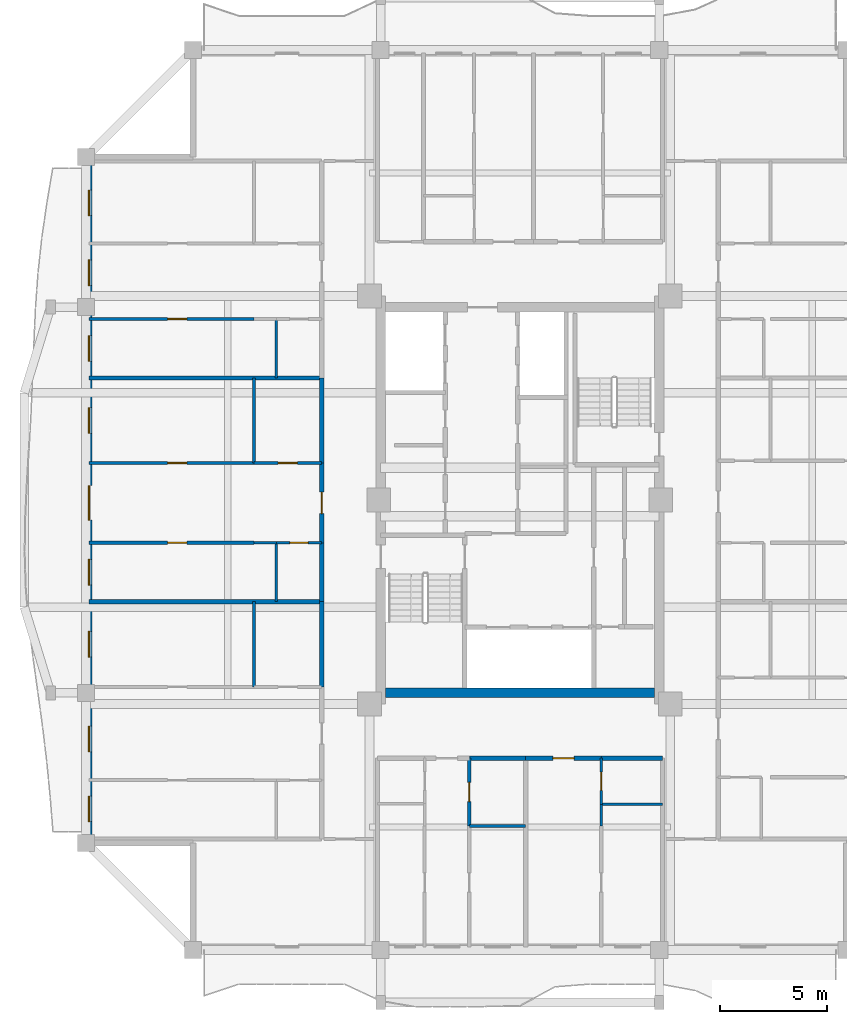
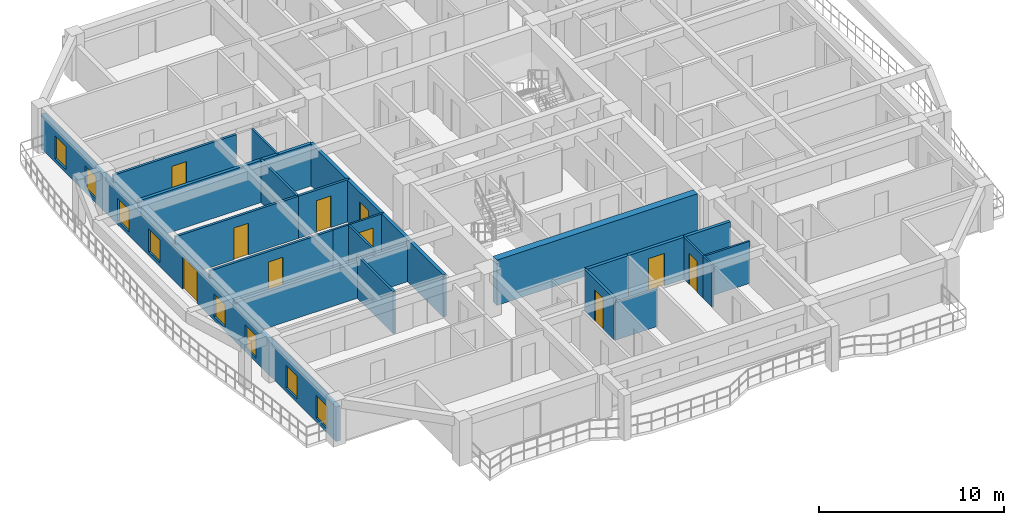
# One storey, part 3 of 13: 26 walls, 10 doors, 8 windows, 18 openings.
"""IFC4 building model written with IfcOpenShell, lengths in metres."""

from ifc_helpers import new_model, si_unit, direction, frame, frame_2d, origin, place, context, subcontext, project, spatial, rectangle, extrude, source, transform, mapped, material, layer, layer_set, type_object, element, fill, save


model = new_model("IFC4")

# Units and contexts
model_context = context("Model", 3, precision=1e-05, world=origin(), true_north=direction((0.0, 1.0)))
body_context = subcontext(model_context, "Body", "Model", "MODEL_VIEW")
ifc_project = project(units=[si_unit("LENGTHUNIT", "METRE"), si_unit("AREAUNIT", "SQUARE_METRE"), si_unit("VOLUMEUNIT", "CUBIC_METRE"), si_unit("PLANEANGLEUNIT", "RADIAN"), si_unit("MASSUNIT", "GRAM", prefix="KILO")], contexts=[model_context])

# Site, building, storey
site_placement = place(None, origin())
site = spatial("IfcSite", under=ifc_project, at=site_placement, CompositionType="ELEMENT")
building_placement = place(site_placement, origin())
building = spatial("IfcBuilding", under=site, at=building_placement, Name="Saelheon Loggia Tower", CompositionType="ELEMENT")
storey_placement = place(building_placement, frame((0.0, 0.0, 179.800048828125)))
storey = spatial("IfcBuildingStorey", under=building, at=storey_placement, Name="L56", CompositionType="ELEMENT", Elevation=179.800048828125)

# Wall
ifc_material_1 = material(Name="Concrete C45/55", Category="concrete")
ifc_layer_1 = layer(ifc_material_1, 0.449951171875)
ifc_layer_set_1 = layer_set([ifc_layer_1], Name="Concrete C45/55")
wall_type_1 = type_object("IfcWallType", Name="Wall_CoreShear_450", PredefinedType="SHEAR", material=ifc_layer_set_1)
wall_1_placement = place(storey_placement, frame((31.72509765625, 18.0, 0.0), z_axis=(0.0, 0.0, 1.0), x_axis=(1.0, 0.0, 0.0)))
element("IfcWall", 1, at=wall_1_placement, inside=storey, type_object=wall_type_1, Name="L56 Core Shear Wall South", PredefinedType="SHEAR", context=body_context, shape_type="SweptSolid", body=[
    extrude(rectangle(XDim=12.5498046875, YDim=0.449951171875, at=frame_2d((6.27490234375, 0.0))), origin(), (0.0, 0.0, 1.0), 3.0),
])

# Wall, openings, windows, door
ifc_material_2 = material(Name="Architectural Precast Concrete C40/50", Category="concrete")
ifc_layer_2 = layer(ifc_material_2, 0.280029296875)
ifc_layer_set_2 = layer_set([ifc_layer_2], Name="Architectural Precast Concrete C40/50")
wall_type_2 = type_object("IfcWallType", Name="Wall_Ext_Loggia_280", PredefinedType="SOLIDWALL", material=ifc_layer_set_2)
wall_2_placement = place(storey_placement, frame((17.889892578125, 11.0, 0.0), z_axis=(0.0, 0.0, 1.0), x_axis=(0.0, 1.0, 0.0)))
wall_2 = element("IfcWall", 2, at=wall_2_placement, inside=storey, type_object=wall_type_2, Name="L56 West Loggia Inner Wall", PredefinedType="SOLIDWALL", context=body_context, shape_type="SweptSolid", body=[
    extrude(rectangle(XDim=32.0, YDim=0.280029296875, at=frame_2d((16.0, 0.0))), origin(), (0.0, 0.0, 1.0), 2.280029296875),
])
opening_1_placement = place(wall_2_placement, frame((0.985107421875, 0.0, 0.25)))
opening_1 = element("IfcOpeningElement", 3, at=opening_1_placement, cuts=wall_2, Name="Opening WN-03", PredefinedType="OPENING", context=body_context, shape_type="SweptSolid", body=[
    extrude(rectangle(XDim=1.199951171875, YDim=1.5, at=frame_2d((0.60009765625, 0.75))), frame((0.0, 0.152099609375, 0.0), z_axis=(0.0, -1.0, 0.0), x_axis=(1.0, 0.0, 0.0)), (0.0, 0.0, 1.0), 0.303955078125),
])
opening_2_placement = place(wall_2_placement, frame((4.2451171875, 0.0, 0.25)))
opening_2 = element("IfcOpeningElement", 4, at=opening_2_placement, cuts=wall_2, Name="Opening WN-03", PredefinedType="OPENING", context=body_context, shape_type="SweptSolid", body=[
    extrude(rectangle(XDim=1.199951171875, YDim=1.5, at=frame_2d((0.60009765625, 0.75))), frame((0.0, 0.152099609375, 0.0), z_axis=(0.0, -1.0, 0.0), x_axis=(1.0, 0.0, 0.0)), (0.0, 0.0, 1.0), 0.303955078125),
])
opening_3_placement = place(wall_2_placement, frame((8.6669921875, 0.0, 0.25)))
opening_3 = element("IfcOpeningElement", 5, at=opening_3_placement, cuts=wall_2, Name="Opening WN-03", PredefinedType="OPENING", context=body_context, shape_type="SweptSolid", body=[
    extrude(rectangle(XDim=1.199951171875, YDim=1.5, at=frame_2d((0.60009765625, 0.75))), frame((0.0, 0.152099609375, 0.0), z_axis=(0.0, -1.0, 0.0), x_axis=(1.0, 0.0, 0.0)), (0.0, 0.0, 1.0), 0.303955078125),
])
opening_4_placement = place(wall_2_placement, frame((12.029052734375, 0.0, 0.25)))
opening_4 = element("IfcOpeningElement", 6, at=opening_4_placement, cuts=wall_2, Name="Opening WN-03", PredefinedType="OPENING", context=body_context, shape_type="SweptSolid", body=[
    extrude(rectangle(XDim=1.199951171875, YDim=1.5, at=frame_2d((0.60009765625, 0.75))), frame((0.0, 0.152099609375, 0.0), z_axis=(0.0, -1.0, 0.0), x_axis=(1.0, 0.0, 0.0)), (0.0, 0.0, 1.0), 0.303955078125),
])
opening_5_placement = place(wall_2_placement, frame((15.065673828125, 0.0, 0.0)))
opening_5 = element("IfcOpeningElement", 7, at=opening_5_placement, cuts=wall_2, Name="Opening DLG-1", PredefinedType="OPENING", context=body_context, shape_type="SweptSolid", body=[
    extrude(rectangle(XDim=1.60009765625, YDim=2.14990234375, at=frame_2d((0.800048828125, 1.074951171875))), frame((0.0, 0.152099609375, 0.0), z_axis=(0.0, -1.0, 0.0), x_axis=(1.0, 0.0, 0.0)), (0.0, 0.0, 1.0), 0.303955078125),
])
opening_6_placement = place(wall_2_placement, frame((19.111328125, 0.0, 0.25)))
opening_6 = element("IfcOpeningElement", 8, at=opening_6_placement, cuts=wall_2, Name="Opening WN-03", PredefinedType="OPENING", context=body_context, shape_type="SweptSolid", body=[
    extrude(rectangle(XDim=1.199951171875, YDim=1.5, at=frame_2d((0.60009765625, 0.75))), frame((0.0, 0.152099609375, 0.0), z_axis=(0.0, -1.0, 0.0), x_axis=(1.0, 0.0, 0.0)), (0.0, 0.0, 1.0), 0.303955078125),
])
opening_7_placement = place(wall_2_placement, frame((22.47021484375, 0.0, 0.25)))
opening_7 = element("IfcOpeningElement", 9, at=opening_7_placement, cuts=wall_2, Name="Opening WN-03", PredefinedType="OPENING", context=body_context, shape_type="SweptSolid", body=[
    extrude(rectangle(XDim=1.199951171875, YDim=1.5, at=frame_2d((0.60009765625, 0.75))), frame((0.0, 0.152099609375, 0.0), z_axis=(0.0, -1.0, 0.0), x_axis=(1.0, 0.0, 0.0)), (0.0, 0.0, 1.0), 0.303955078125),
])
opening_8_placement = place(wall_2_placement, frame((26.00634765625, 0.0, 0.25)))
opening_8 = element("IfcOpeningElement", 10, at=opening_8_placement, cuts=wall_2, Name="Opening WN-03", PredefinedType="OPENING", context=body_context, shape_type="SweptSolid", body=[
    extrude(rectangle(XDim=1.199951171875, YDim=1.5, at=frame_2d((0.60009765625, 0.75))), frame((0.0, 0.152099609375, 0.0), z_axis=(0.0, -1.0, 0.0), x_axis=(1.0, 0.0, 0.0)), (0.0, 0.0, 1.0), 0.303955078125),
])
opening_9_placement = place(wall_2_placement, frame((29.266357421875, 0.0, 0.25)))
opening_9 = element("IfcOpeningElement", 11, at=opening_9_placement, cuts=wall_2, Name="Opening WN-03", PredefinedType="OPENING", context=body_context, shape_type="SweptSolid", body=[
    extrude(rectangle(XDim=1.199951171875, YDim=1.5, at=frame_2d((0.60009765625, 0.75))), frame((0.0, 0.152099609375, 0.0), z_axis=(0.0, -1.0, 0.0), x_axis=(1.0, 0.0, 0.0)), (0.0, 0.0, 1.0), 0.303955078125),
])
ifc_material_3 = material(Name="Thermal-Break Aluminium and Triple Low-E Glass", Category="aluminium")
window_type = type_object("IfcWindowType", Name="Win_Bedroom_1200x1500", PartitioningType="SINGLE_PANEL", PredefinedType="WINDOW", material=ifc_material_3)
shared_shape_1 = source(origin(), body_context, "Body", "SweptSolid", [
    extrude(rectangle(XDim=1.199951171875, YDim=1.5, at=frame_2d((0.60009765625, 0.75))), frame((0.0, 0.030029296875, 0.0), z_axis=(0.0, -1.0, 0.0), x_axis=(1.0, 0.0, 0.0)), (0.0, 0.0, 1.0), 0.06005859375),
])
window_1_placement = place(opening_1_placement, origin())
window_1 = element("IfcWindow", 12, at=window_1_placement, inside=storey, type_object=window_type, Name="L56 W Dwelling Window 1", OverallHeight=1.5, OverallWidth=1.199951171875, PartitioningType="SINGLE_PANEL", PredefinedType="WINDOW", context=body_context, shape_type="MappedRepresentation", body=[
    mapped(shared_shape_1, transform((0.0, 0.0, 0.0), scale=1.0)),
])
fill(opening_1, window_1)
window_2_placement = place(opening_2_placement, origin())
window_2 = element("IfcWindow", 13, at=window_2_placement, inside=storey, type_object=window_type, Name="L56 W Dwelling Window 2", OverallHeight=1.5, OverallWidth=1.199951171875, PartitioningType="SINGLE_PANEL", PredefinedType="WINDOW", context=body_context, shape_type="MappedRepresentation", body=[
    mapped(shared_shape_1, transform((0.0, 0.0, 0.0), scale=1.0)),
])
fill(opening_2, window_2)
window_3_placement = place(opening_3_placement, origin())
window_3 = element("IfcWindow", 14, at=window_3_placement, inside=storey, type_object=window_type, Name="L56 W Dwelling Window 3", OverallHeight=1.5, OverallWidth=1.199951171875, PartitioningType="SINGLE_PANEL", PredefinedType="WINDOW", context=body_context, shape_type="MappedRepresentation", body=[
    mapped(shared_shape_1, transform((0.0, 0.0, 0.0), scale=1.0)),
])
fill(opening_3, window_3)
window_4_placement = place(opening_4_placement, origin())
window_4 = element("IfcWindow", 15, at=window_4_placement, inside=storey, type_object=window_type, Name="L56 W Dwelling Window 4", OverallHeight=1.5, OverallWidth=1.199951171875, PartitioningType="SINGLE_PANEL", PredefinedType="WINDOW", context=body_context, shape_type="MappedRepresentation", body=[
    mapped(shared_shape_1, transform((0.0, 0.0, 0.0), scale=1.0)),
])
fill(opening_4, window_4)
window_5_placement = place(opening_6_placement, origin())
window_5 = element("IfcWindow", 16, at=window_5_placement, inside=storey, type_object=window_type, Name="L56 W Dwelling Window 6", OverallHeight=1.5, OverallWidth=1.199951171875, PartitioningType="SINGLE_PANEL", PredefinedType="WINDOW", context=body_context, shape_type="MappedRepresentation", body=[
    mapped(shared_shape_1, transform((0.0, 0.0, 0.0), scale=1.0)),
])
fill(opening_6, window_5)
window_6_placement = place(opening_7_placement, origin())
window_6 = element("IfcWindow", 17, at=window_6_placement, inside=storey, type_object=window_type, Name="L56 W Dwelling Window 7", OverallHeight=1.5, OverallWidth=1.199951171875, PartitioningType="SINGLE_PANEL", PredefinedType="WINDOW", context=body_context, shape_type="MappedRepresentation", body=[
    mapped(shared_shape_1, transform((0.0, 0.0, 0.0), scale=1.0)),
])
fill(opening_7, window_6)
window_7_placement = place(opening_8_placement, origin())
window_7 = element("IfcWindow", 18, at=window_7_placement, inside=storey, type_object=window_type, Name="L56 W Dwelling Window 8", OverallHeight=1.5, OverallWidth=1.199951171875, PartitioningType="SINGLE_PANEL", PredefinedType="WINDOW", context=body_context, shape_type="MappedRepresentation", body=[
    mapped(shared_shape_1, transform((0.0, 0.0, 0.0), scale=1.0)),
])
fill(opening_8, window_7)
window_8_placement = place(opening_9_placement, origin())
window_8 = element("IfcWindow", 19, at=window_8_placement, inside=storey, type_object=window_type, Name="L56 W Dwelling Window 9", OverallHeight=1.5, OverallWidth=1.199951171875, PartitioningType="SINGLE_PANEL", PredefinedType="WINDOW", context=body_context, shape_type="MappedRepresentation", body=[
    mapped(shared_shape_1, transform((0.0, 0.0, 0.0), scale=1.0)),
])
fill(opening_9, window_8)
ifc_material_4 = material(Name="Thermal-Break Aluminium Sliding Glazed Door", Category="aluminium")
door_type_1 = type_object("IfcDoorType", Name="Door_LoggiaSlide_1600", OperationType="SLIDING_TO_LEFT", PredefinedType="DOOR", material=ifc_material_4)
shared_shape_2 = source(origin(), body_context, "Body", "SweptSolid", [
    extrude(rectangle(XDim=1.60009765625, YDim=2.14990234375, at=frame_2d((0.800048828125, 1.074951171875))), frame((0.0, 0.02490234375, 0.0), z_axis=(0.0, -1.0, 0.0), x_axis=(1.0, 0.0, 0.0)), (0.0, 0.0, 1.0), 0.050048828125),
])
door_1_placement = place(opening_5_placement, origin())
door_1 = element("IfcDoor", 20, at=door_1_placement, inside=storey, type_object=door_type_1, Name="L56 W Loggia Access Door", OperationType="SLIDING_TO_LEFT", OverallHeight=2.14990234375, OverallWidth=1.60009765625, PredefinedType="DOOR", context=body_context, shape_type="MappedRepresentation", body=[
    mapped(shared_shape_2, transform((0.0, 0.0, 0.0), scale=1.0)),
])
fill(opening_5, door_1)

# Wall
ifc_material_5 = material(Name="Lightweight Autoclaved Aerated Concrete Block and Acoustic Gypsum", Category="concrete")
ifc_layer_3 = layer(ifc_material_5, 0.14990234375)
ifc_layer_set_3 = layer_set([ifc_layer_3], Name="Lightweight Autoclaved Aerated Concrete Block and Acoustic Gypsum")
wall_type_3 = type_object("IfcWallType", Name="Wall_Part_150", PredefinedType="PARTITIONING", material=ifc_layer_set_3)
wall_3_placement = place(storey_placement, frame((35.637939453125, 11.7900390625, 0.0), z_axis=(0.0, 0.0, 1.0), x_axis=(1.0, 0.0, 0.0)))
element("IfcWall", 21, at=wall_3_placement, inside=storey, type_object=wall_type_3, Name="L56 S Partition V07", PredefinedType="PARTITIONING", context=body_context, shape_type="SweptSolid", body=[
    extrude(rectangle(XDim=2.628173828125, YDim=0.14990234375, at=frame_2d((1.31396484375, 0.0))), origin(), (0.0, 0.0, 1.0), 2.489990234375),
])

# Wall, opening, door
wall_4_placement = place(storey_placement, frame((35.637939453125, 14.949951171875, 0.0), z_axis=(0.0, 0.0, 1.0), x_axis=(0.0, -1.0, 0.0)))
wall_4 = element("IfcWall", 22, at=wall_4_placement, inside=storey, type_object=wall_type_3, Name="L56 S Partition U11", PredefinedType="PARTITIONING", context=body_context, shape_type="SweptSolid", body=[
    extrude(rectangle(XDim=3.159912109375, YDim=0.14990234375, at=frame_2d((1.580078125, 0.0))), origin(), (0.0, 0.0, 1.0), 2.7900390625),
])
opening_10_placement = place(wall_4_placement, frame((1.1298828125, 0.0, 0.0)))
opening_10 = element("IfcOpeningElement", 23, at=opening_10_placement, cuts=wall_4, Name="Opening D-IN2", PredefinedType="OPENING", context=body_context, shape_type="SweptSolid", body=[
    extrude(rectangle(XDim=0.89990234375, YDim=2.10009765625, at=frame_2d((0.449951171875, 1.050048828125))), frame((0.0, 0.0869140625, 0.0), z_axis=(0.0, -1.0, 0.0), x_axis=(1.0, 0.0, 0.0)), (0.0, 0.0, 1.0), 0.173828125),
])
ifc_material_6 = material(Name="Engineered Oak Flush Door", Category="timber")
door_type_2 = type_object("IfcDoorType", Name="Door_Int_900", OperationType="NOTDEFINED", PredefinedType="DOOR", material=ifc_material_6)
shared_shape_3 = source(origin(), body_context, "Body", "SweptSolid", [
    extrude(rectangle(XDim=0.89990234375, YDim=2.10009765625, at=frame_2d((0.449951171875, 1.050048828125))), frame((0.0, 0.02490234375, 0.0), z_axis=(0.0, -1.0, 0.0), x_axis=(1.0, 0.0, 0.0)), (0.0, 0.0, 1.0), 0.050048828125),
])
door_2_placement = place(opening_10_placement, origin())
door_2 = element("IfcDoor", 24, at=door_2_placement, inside=storey, type_object=door_type_2, Name="Unit U01 Dressing Closet Door", OperationType="SINGLE_SWING_LEFT", OverallHeight=2.10009765625, OverallWidth=0.89990234375, PredefinedType="DOOR", context=body_context, shape_type="MappedRepresentation", body=[
    mapped(shared_shape_3, transform((0.0, 0.0, 0.0), scale=1.0)),
])
fill(opening_10, door_2)

# Walls
wall_5_placement = place(storey_placement, frame((25.590087890625, 18.280029296875, 0.0), z_axis=(0.0, 0.0, 1.0), x_axis=(0.0, 1.0, 0.0)))
element("IfcWall", 25, at=wall_5_placement, inside=storey, type_object=wall_type_3, Name="L56 W Partition V07", PredefinedType="PARTITIONING", context=body_context, shape_type="SweptSolid", body=[
    extrude(rectangle(XDim=3.973876953125, YDim=0.14990234375, at=frame_2d((1.98681640625, 0.0))), origin(), (0.0, 0.0, 1.0), 2.7900390625),
])
wall_6_placement = place(storey_placement, frame((25.590087890625, 28.7275390625, 0.0), z_axis=(0.0, 0.0, 1.0), x_axis=(0.0, 1.0, 0.0)))
element("IfcWall", 26, at=wall_6_placement, inside=storey, type_object=wall_type_3, Name="L56 W Partition V18", PredefinedType="PARTITIONING", context=body_context, shape_type="SweptSolid", body=[
    extrude(rectangle(XDim=3.9677734375, YDim=0.14990234375, at=frame_2d((1.98388671875, 0.0))), origin(), (0.0, 0.0, 1.0), 2.7900390625),
])

# Wall, opening, door
wall_7_placement = place(storey_placement, frame((25.590087890625, 25.00390625, 0.0), z_axis=(0.0, 0.0, 1.0), x_axis=(-1.0, 0.0, 0.0)))
wall_7 = element("IfcWall", 27, at=wall_7_placement, inside=storey, type_object=wall_type_3, Name="L56 W Partition U21", PredefinedType="PARTITIONING", context=body_context, shape_type="SweptSolid", body=[
    extrude(rectangle(XDim=7.690185546875, YDim=0.14990234375, at=frame_2d((3.84521484375, 0.0))), origin(), (0.0, 0.0, 1.0), 2.7900390625),
])
opening_11_placement = place(wall_7_placement, frame((3.132080078125, 0.0, 0.0)))
opening_11 = element("IfcOpeningElement", 28, at=opening_11_placement, cuts=wall_7, Name="Opening D-IN2", PredefinedType="OPENING", context=body_context, shape_type="SweptSolid", body=[
    extrude(rectangle(XDim=0.89990234375, YDim=2.10009765625, at=frame_2d((0.449951171875, 1.050048828125))), frame((0.0, 0.0869140625, 0.0), z_axis=(0.0, -1.0, 0.0), x_axis=(1.0, 0.0, 0.0)), (0.0, 0.0, 1.0), 0.173828125),
])
door_3_placement = place(opening_11_placement, origin())
door_3 = element("IfcDoor", 29, at=door_3_placement, inside=storey, type_object=door_type_2, Name="Unit U06 Kitchen Door", OperationType="SINGLE_SWING_RIGHT", OverallHeight=2.10009765625, OverallWidth=0.89990234375, PredefinedType="DOOR", context=body_context, shape_type="MappedRepresentation", body=[
    mapped(shared_shape_3, transform((0.0, 0.0, 0.0), scale=1.0)),
])
fill(opening_11, door_3)

wall_8_placement = place(storey_placement, frame((28.75, 28.7275390625, 0.0), z_axis=(0.0, 0.0, 1.0), x_axis=(-1.0, 0.0, 0.0)))
wall_8 = element("IfcWall", 30, at=wall_8_placement, inside=storey, type_object=wall_type_3, Name="L56 W Partition U22", PredefinedType="PARTITIONING", context=body_context, shape_type="SweptSolid", body=[
    extrude(rectangle(XDim=3.159912109375, YDim=0.14990234375, at=frame_2d((1.580078125, 0.0))), origin(), (0.0, 0.0, 1.0), 2.7900390625),
])
opening_12_placement = place(wall_8_placement, frame((1.1298828125, 0.0, 0.0)))
opening_12 = element("IfcOpeningElement", 31, at=opening_12_placement, cuts=wall_8, Name="Opening D-IN2", PredefinedType="OPENING", context=body_context, shape_type="SweptSolid", body=[
    extrude(rectangle(XDim=0.89990234375, YDim=2.10009765625, at=frame_2d((0.449951171875, 1.050048828125))), frame((0.0, 0.0869140625, 0.0), z_axis=(0.0, -1.0, 0.0), x_axis=(1.0, 0.0, 0.0)), (0.0, 0.0, 1.0), 0.173828125),
])
door_4_placement = place(opening_12_placement, origin())
door_4 = element("IfcDoor", 32, at=door_4_placement, inside=storey, type_object=door_type_2, Name="Unit U06 Home Office Door", OperationType="SINGLE_SWING_LEFT", OverallHeight=2.10009765625, OverallWidth=0.89990234375, PredefinedType="DOOR", context=body_context, shape_type="MappedRepresentation", body=[
    mapped(shared_shape_3, transform((0.0, 0.0, 0.0), scale=1.0)),
])
fill(opening_12, door_4)

wall_9_placement = place(storey_placement, frame((25.590087890625, 28.7275390625, 0.0), z_axis=(0.0, 0.0, 1.0), x_axis=(-1.0, 0.0, 0.0)))
wall_9 = element("IfcWall", 33, at=wall_9_placement, inside=storey, type_object=wall_type_3, Name="L56 W Partition U23", PredefinedType="PARTITIONING", context=body_context, shape_type="SweptSolid", body=[
    extrude(rectangle(XDim=7.690185546875, YDim=0.14990234375, at=frame_2d((3.84521484375, 0.0))), origin(), (0.0, 0.0, 1.0), 2.7900390625),
])
opening_13_placement = place(wall_9_placement, frame((3.132080078125, 0.0, 0.0)))
opening_13 = element("IfcOpeningElement", 34, at=opening_13_placement, cuts=wall_9, Name="Opening D-IN2", PredefinedType="OPENING", context=body_context, shape_type="SweptSolid", body=[
    extrude(rectangle(XDim=0.89990234375, YDim=2.10009765625, at=frame_2d((0.449951171875, 1.050048828125))), frame((0.0, 0.0869140625, 0.0), z_axis=(0.0, -1.0, 0.0), x_axis=(1.0, 0.0, 0.0)), (0.0, 0.0, 1.0), 0.173828125),
])
door_5_placement = place(opening_13_placement, origin())
door_5 = element("IfcDoor", 35, at=door_5_placement, inside=storey, type_object=door_type_2, Name="Unit U06 Bedroom 1 Door", OperationType="SINGLE_SWING_RIGHT", OverallHeight=2.10009765625, OverallWidth=0.89990234375, PredefinedType="DOOR", context=body_context, shape_type="MappedRepresentation", body=[
    mapped(shared_shape_3, transform((0.0, 0.0, 0.0), scale=1.0)),
])
fill(opening_13, door_5)

wall_10_placement = place(storey_placement, frame((25.590087890625, 35.4453125, 0.0), z_axis=(0.0, 0.0, 1.0), x_axis=(-1.0, 0.0, 0.0)))
wall_10 = element("IfcWall", 36, at=wall_10_placement, inside=storey, type_object=wall_type_3, Name="L56 W Partition U32", PredefinedType="PARTITIONING", context=body_context, shape_type="SweptSolid", body=[
    extrude(rectangle(XDim=7.690185546875, YDim=0.14990234375, at=frame_2d((3.84521484375, 0.0))), origin(), (0.0, 0.0, 1.0), 2.7900390625),
])
opening_14_placement = place(wall_10_placement, frame((3.132080078125, 0.0, 0.0)))
opening_14 = element("IfcOpeningElement", 37, at=opening_14_placement, cuts=wall_10, Name="Opening D-IN2", PredefinedType="OPENING", context=body_context, shape_type="SweptSolid", body=[
    extrude(rectangle(XDim=0.89990234375, YDim=2.10009765625, at=frame_2d((0.449951171875, 1.050048828125))), frame((0.0, 0.0869140625, 0.0), z_axis=(0.0, -1.0, 0.0), x_axis=(1.0, 0.0, 0.0)), (0.0, 0.0, 1.0), 0.173828125),
])
door_6_placement = place(opening_14_placement, origin())
door_6 = element("IfcDoor", 38, at=door_6_placement, inside=storey, type_object=door_type_2, Name="Unit U07 Kitchen Door", OperationType="SINGLE_SWING_LEFT", OverallHeight=2.10009765625, OverallWidth=0.89990234375, PredefinedType="DOOR", context=body_context, shape_type="MappedRepresentation", body=[
    mapped(shared_shape_3, transform((0.0, 0.0, 0.0), scale=1.0)),
])
fill(opening_14, door_6)

# Wall
ifc_material_7 = material(Name="Double Acoustic Stud and Fireboard Partition", Category="gypsum")
ifc_layer_4 = layer(ifc_material_7, 0.199951171875)
ifc_layer_set_4 = layer_set([ifc_layer_4], Name="Double Acoustic Stud and Fireboard Partition")
wall_type_4 = type_object("IfcWallType", Name="Wall_Party_200", PredefinedType="PARTITIONING", material=ifc_layer_set_4)
wall_11_placement = place(storey_placement, frame((35.637939453125, 14.949951171875, 0.0), z_axis=(0.0, 0.0, 1.0), x_axis=(1.0, 0.0, 0.0)))
element("IfcWall", 39, at=wall_11_placement, inside=storey, type_object=wall_type_4, Name="L56 S Partition V05", PredefinedType="PARTITIONING", context=body_context, shape_type="SweptSolid", body=[
    extrude(rectangle(XDim=2.628173828125, YDim=0.199951171875, at=frame_2d((1.31396484375, 0.0))), origin(), (0.0, 0.0, 1.0), 2.7900390625),
])

# Wall, opening, door
wall_12_placement = place(storey_placement, frame((38.26611328125, 14.949951171875, 0.0), z_axis=(0.0, 0.0, 1.0), x_axis=(1.0, 0.0, 0.0)))
wall_12 = element("IfcWall", 40, at=wall_12_placement, inside=storey, type_object=wall_type_4, Name="L56 S Partition V14", PredefinedType="PARTITIONING", context=body_context, shape_type="SweptSolid", body=[
    extrude(rectangle(XDim=3.533935546875, YDim=0.199951171875, at=frame_2d((1.76708984375, 0.0))), origin(), (0.0, 0.0, 1.0), 2.7900390625),
])
opening_15_placement = place(wall_12_placement, frame((1.26708984375, 0.0, 0.0)))
opening_15 = element("IfcOpeningElement", 41, at=opening_15_placement, cuts=wall_12, Name="Opening D-FD1", PredefinedType="OPENING", context=body_context, shape_type="SweptSolid", body=[
    extrude(rectangle(XDim=1.0, YDim=2.14990234375, at=frame_2d((0.5, 1.074951171875))), frame((0.0, 0.112060546875, 0.0), z_axis=(0.0, -1.0, 0.0), x_axis=(1.0, 0.0, 0.0)), (0.0, 0.0, 1.0), 0.223876953125),
])
ifc_material_8 = material(Name="Fire-Rated Engineered Timber Entrance Door", Category="wood")
door_type_3 = type_object("IfcDoorType", Name="Door_Flat_FD30S", OperationType="NOTDEFINED", PredefinedType="DOOR", material=ifc_material_8)
shared_shape_4 = source(origin(), body_context, "Body", "SweptSolid", [
    extrude(rectangle(XDim=1.0, YDim=2.14990234375, at=frame_2d((0.5, 1.074951171875))), frame((0.0, 0.02490234375, 0.0), z_axis=(0.0, -1.0, 0.0), x_axis=(1.0, 0.0, 0.0)), (0.0, 0.0, 1.0), 0.050048828125),
])
door_7_placement = place(opening_15_placement, origin())
door_7 = element("IfcDoor", 42, at=door_7_placement, inside=storey, type_object=door_type_3, Name="Unit U02 Entrance Door", OperationType="SINGLE_SWING_LEFT", OverallHeight=2.14990234375, OverallWidth=1.0, PredefinedType="DOOR", context=body_context, shape_type="MappedRepresentation", body=[
    mapped(shared_shape_4, transform((0.0, 0.0, 0.0), scale=1.0)),
])
fill(opening_15, door_7)

# Walls
wall_13_placement = place(storey_placement, frame((41.800048828125, 14.949951171875, 0.0), z_axis=(0.0, 0.0, 1.0), x_axis=(1.0, 0.0, 0.0)))
element("IfcWall", 43, at=wall_13_placement, inside=storey, type_object=wall_type_4, Name="L56 S Partition V15", PredefinedType="PARTITIONING", context=body_context, shape_type="SweptSolid", body=[
    extrude(rectangle(XDim=2.849853515625, YDim=0.199951171875, at=frame_2d((1.4248046875, 0.0))), origin(), (0.0, 0.0, 1.0), 2.7900390625),
])
wall_14_placement = place(storey_placement, frame((28.75, 18.280029296875, 0.0), z_axis=(0.0, 0.0, 1.0), x_axis=(0.0, 1.0, 0.0)))
element("IfcWall", 44, at=wall_14_placement, inside=storey, type_object=wall_type_4, Name="L56 W Partition V05", PredefinedType="PARTITIONING", context=body_context, shape_type="SweptSolid", body=[
    extrude(rectangle(XDim=3.973876953125, YDim=0.199951171875, at=frame_2d((1.98681640625, 0.0))), origin(), (0.0, 0.0, 1.0), 2.7900390625),
])
wall_15_placement = place(storey_placement, frame((28.75, 22.25390625, 0.0), z_axis=(0.0, 0.0, 1.0), x_axis=(-1.0, 0.0, 0.0)))
element("IfcWall", 45, at=wall_15_placement, inside=storey, type_object=wall_type_4, Name="L56 W Partition U13", PredefinedType="PARTITIONING", context=body_context, shape_type="SweptSolid", body=[
    extrude(rectangle(XDim=10.85009765625, YDim=0.199951171875, at=frame_2d((5.425048828125, 0.0))), origin(), (0.0, 0.0, 1.0), 2.389892578125),
])
wall_16_placement = place(storey_placement, frame((28.75, 22.25390625, 0.0), z_axis=(0.0, 0.0, 1.0), x_axis=(0.0, 1.0, 0.0)))
element("IfcWall", 46, at=wall_16_placement, inside=storey, type_object=wall_type_4, Name="L56 W Partition V14", PredefinedType="PARTITIONING", context=body_context, shape_type="SweptSolid", body=[
    extrude(rectangle(XDim=2.75, YDim=0.199951171875, at=frame_2d((1.375, 0.0))), origin(), (0.0, 0.0, 1.0), 2.7900390625),
])

# Wall, opening, door
wall_17_placement = place(storey_placement, frame((28.75, 25.00390625, 0.0), z_axis=(0.0, 0.0, 1.0), x_axis=(0.0, 1.0, 0.0)))
wall_17 = element("IfcWall", 47, at=wall_17_placement, inside=storey, type_object=wall_type_4, Name="L56 W Partition V15", PredefinedType="PARTITIONING", context=body_context, shape_type="SweptSolid", body=[
    extrude(rectangle(XDim=3.7236328125, YDim=0.199951171875, at=frame_2d((1.86181640625, 0.0))), origin(), (0.0, 0.0, 1.0), 2.7900390625),
])
opening_16_placement = place(wall_17_placement, frame((1.36181640625, 0.0, 0.0)))
opening_16 = element("IfcOpeningElement", 48, at=opening_16_placement, cuts=wall_17, Name="Opening D-FD1", PredefinedType="OPENING", context=body_context, shape_type="SweptSolid", body=[
    extrude(rectangle(XDim=1.0, YDim=2.14990234375, at=frame_2d((0.5, 1.074951171875))), frame((0.0, 0.112060546875, 0.0), z_axis=(0.0, -1.0, 0.0), x_axis=(1.0, 0.0, 0.0)), (0.0, 0.0, 1.0), 0.223876953125),
])
door_8_placement = place(opening_16_placement, origin())
door_8 = element("IfcDoor", 49, at=door_8_placement, inside=storey, type_object=door_type_3, Name="Unit U06 Entrance Door", OperationType="SINGLE_SWING_RIGHT", OverallHeight=2.14990234375, OverallWidth=1.0, PredefinedType="DOOR", context=body_context, shape_type="MappedRepresentation", body=[
    mapped(shared_shape_4, transform((0.0, 0.0, 0.0), scale=1.0)),
])
fill(opening_16, door_8)

# Walls
wall_18_placement = place(storey_placement, frame((28.75, 28.7275390625, 0.0), z_axis=(0.0, 0.0, 1.0), x_axis=(0.0, 1.0, 0.0)))
element("IfcWall", 50, at=wall_18_placement, inside=storey, type_object=wall_type_4, Name="L56 W Partition V16", PredefinedType="PARTITIONING", context=body_context, shape_type="SweptSolid", body=[
    extrude(rectangle(XDim=3.9677734375, YDim=0.199951171875, at=frame_2d((1.98388671875, 0.0))), origin(), (0.0, 0.0, 1.0), 2.7900390625),
])
wall_19_placement = place(storey_placement, frame((28.75, 32.6953125, 0.0), z_axis=(0.0, 0.0, 1.0), x_axis=(-1.0, 0.0, 0.0)))
element("IfcWall", 51, at=wall_19_placement, inside=storey, type_object=wall_type_4, Name="L56 W Partition U24", PredefinedType="PARTITIONING", context=body_context, shape_type="SweptSolid", body=[
    extrude(rectangle(XDim=10.85009765625, YDim=0.199951171875, at=frame_2d((5.425048828125, 0.0))), origin(), (0.0, 0.0, 1.0), 2.7900390625),
])

# Wall, opening, door
ifc_material_9 = material(Name="Moisture-Resistant Cement Board Partition", Category="gypsum")
ifc_layer_5 = layer(ifc_material_9, 0.1201171875)
ifc_layer_set_5 = layer_set([ifc_layer_5], Name="Moisture-Resistant Cement Board Partition")
wall_type_5 = type_object("IfcWallType", Name="Wall_WetPart_120", PredefinedType="PARTITIONING", material=ifc_layer_set_5)
wall_20_placement = place(storey_placement, frame((41.800048828125, 14.949951171875, 0.0), z_axis=(0.0, 0.0, 1.0), x_axis=(0.0, -1.0, 0.0)))
wall_20 = element("IfcWall", 52, at=wall_20_placement, inside=storey, type_object=wall_type_5, Name="L56 S Partition U16", PredefinedType="PARTITIONING", context=body_context, shape_type="SweptSolid", body=[
    extrude(rectangle(XDim=2.14990234375, YDim=0.1201171875, at=frame_2d((1.074951171875, 0.0))), origin(), (0.0, 0.0, 1.0), 2.7900390625),
])
opening_17_placement = place(wall_20_placement, frame((0.64990234375, 0.0, 0.0)))
opening_17 = element("IfcOpeningElement", 53, at=opening_17_placement, cuts=wall_20, Name="Opening D-BT1", PredefinedType="OPENING", context=body_context, shape_type="SweptSolid", body=[
    extrude(rectangle(XDim=0.85009765625, YDim=2.050048828125, at=frame_2d((0.425048828125, 1.02490234375))), frame((0.0, 0.072021484375, 0.0), z_axis=(0.0, -1.0, 0.0), x_axis=(1.0, 0.0, 0.0)), (0.0, 0.0, 1.0), 0.14404296875),
])
ifc_material_10 = material(Name="Moisture-Resistant Laminate Timber Door", Category="wood")
door_type_4 = type_object("IfcDoorType", Name="Door_Bath_850", OperationType="NOTDEFINED", PredefinedType="DOOR", material=ifc_material_10)
shared_shape_5 = source(origin(), body_context, "Body", "SweptSolid", [
    extrude(rectangle(XDim=0.85009765625, YDim=2.050048828125, at=frame_2d((0.425048828125, 1.02490234375))), frame((0.0, 0.02490234375, 0.0), z_axis=(0.0, -1.0, 0.0), x_axis=(1.0, 0.0, 0.0)), (0.0, 0.0, 1.0), 0.050048828125),
])
door_9_placement = place(opening_17_placement, origin())
door_9 = element("IfcDoor", 54, at=door_9_placement, inside=storey, type_object=door_type_4, Name="Unit U02 Bathroom Door", OperationType="SINGLE_SWING_RIGHT", OverallHeight=2.050048828125, OverallWidth=0.85009765625, PredefinedType="DOOR", context=body_context, shape_type="MappedRepresentation", body=[
    mapped(shared_shape_5, transform((0.0, 0.0, 0.0), scale=1.0)),
])
fill(opening_17, door_9)

# Walls
wall_21_placement = place(storey_placement, frame((41.800048828125, 12.800048828125, 0.0), z_axis=(0.0, 0.0, 1.0), x_axis=(0.0, -1.0, 0.0)))
element("IfcWall", 55, at=wall_21_placement, inside=storey, type_object=wall_type_5, Name="L56 S Partition U17", PredefinedType="PARTITIONING", context=body_context, shape_type="SweptSolid", body=[
    extrude(rectangle(XDim=1.010009765625, YDim=0.1201171875, at=frame_2d((0.5048828125, 0.0))), origin(), (0.0, 0.0, 1.0), 2.7900390625),
])
wall_22_placement = place(storey_placement, frame((41.800048828125, 12.800048828125, 0.0), z_axis=(0.0, 0.0, 1.0), x_axis=(1.0, 0.0, 0.0)))
element("IfcWall", 56, at=wall_22_placement, inside=storey, type_object=wall_type_5, Name="L56 S Partition V18", PredefinedType="PARTITIONING", context=body_context, shape_type="SweptSolid", body=[
    extrude(rectangle(XDim=2.849853515625, YDim=0.1201171875, at=frame_2d((1.4248046875, 0.0))), origin(), (0.0, 0.0, 1.0), 2.7900390625),
])
wall_23_placement = place(storey_placement, frame((26.6298828125, 22.25390625, 0.0), z_axis=(0.0, 0.0, 1.0), x_axis=(0.0, 1.0, 0.0)))
element("IfcWall", 57, at=wall_23_placement, inside=storey, type_object=wall_type_5, Name="L56 W Partition V17", PredefinedType="PARTITIONING", context=body_context, shape_type="SweptSolid", body=[
    extrude(rectangle(XDim=2.75, YDim=0.1201171875, at=frame_2d((1.375, 0.0))), origin(), (0.0, 0.0, 1.0), 2.7900390625),
])

# Wall, opening, door
wall_24_placement = place(storey_placement, frame((28.75, 25.00390625, 0.0), z_axis=(0.0, 0.0, 1.0), x_axis=(-1.0, 0.0, 0.0)))
wall_24 = element("IfcWall", 58, at=wall_24_placement, inside=storey, type_object=wall_type_5, Name="L56 W Partition U19", PredefinedType="PARTITIONING", context=body_context, shape_type="SweptSolid", body=[
    extrude(rectangle(XDim=2.1201171875, YDim=0.1201171875, at=frame_2d((1.06005859375, 0.0))), origin(), (0.0, 0.0, 1.0), 2.7900390625),
])
opening_18_placement = place(wall_24_placement, frame((0.635009765625, 0.0, 0.0)))
opening_18 = element("IfcOpeningElement", 59, at=opening_18_placement, cuts=wall_24, Name="Opening D-BT1", PredefinedType="OPENING", context=body_context, shape_type="SweptSolid", body=[
    extrude(rectangle(XDim=0.85009765625, YDim=2.050048828125, at=frame_2d((0.425048828125, 1.02490234375))), frame((0.0, 0.072021484375, 0.0), z_axis=(0.0, -1.0, 0.0), x_axis=(1.0, 0.0, 0.0)), (0.0, 0.0, 1.0), 0.14404296875),
])
door_10_placement = place(opening_18_placement, origin())
door_10 = element("IfcDoor", 60, at=door_10_placement, inside=storey, type_object=door_type_4, Name="Unit U06 Bathroom Door", OperationType="SINGLE_SWING_LEFT", OverallHeight=2.050048828125, OverallWidth=0.85009765625, PredefinedType="DOOR", context=body_context, shape_type="MappedRepresentation", body=[
    mapped(shared_shape_5, transform((0.0, 0.0, 0.0), scale=1.0)),
])
fill(opening_18, door_10)

# Walls
wall_25_placement = place(storey_placement, frame((26.6298828125, 25.00390625, 0.0), z_axis=(0.0, 0.0, 1.0), x_axis=(-1.0, 0.0, 0.0)))
element("IfcWall", 61, at=wall_25_placement, inside=storey, type_object=wall_type_5, Name="L56 W Partition U20", PredefinedType="PARTITIONING", context=body_context, shape_type="SweptSolid", body=[
    extrude(rectangle(XDim=1.039794921875, YDim=0.1201171875, at=frame_2d((0.52001953125, 0.0))), origin(), (0.0, 0.0, 1.0), 2.7900390625),
])
wall_26_placement = place(storey_placement, frame((26.6298828125, 32.6953125, 0.0), z_axis=(0.0, 0.0, 1.0), x_axis=(0.0, 1.0, 0.0)))
element("IfcWall", 62, at=wall_26_placement, inside=storey, type_object=wall_type_5, Name="L56 W Partition V28", PredefinedType="PARTITIONING", context=body_context, shape_type="SweptSolid", body=[
    extrude(rectangle(XDim=2.75, YDim=0.1201171875, at=frame_2d((1.375, 0.0))), origin(), (0.0, 0.0, 1.0), 2.7900390625),
])

save(model, "model.ifc")
